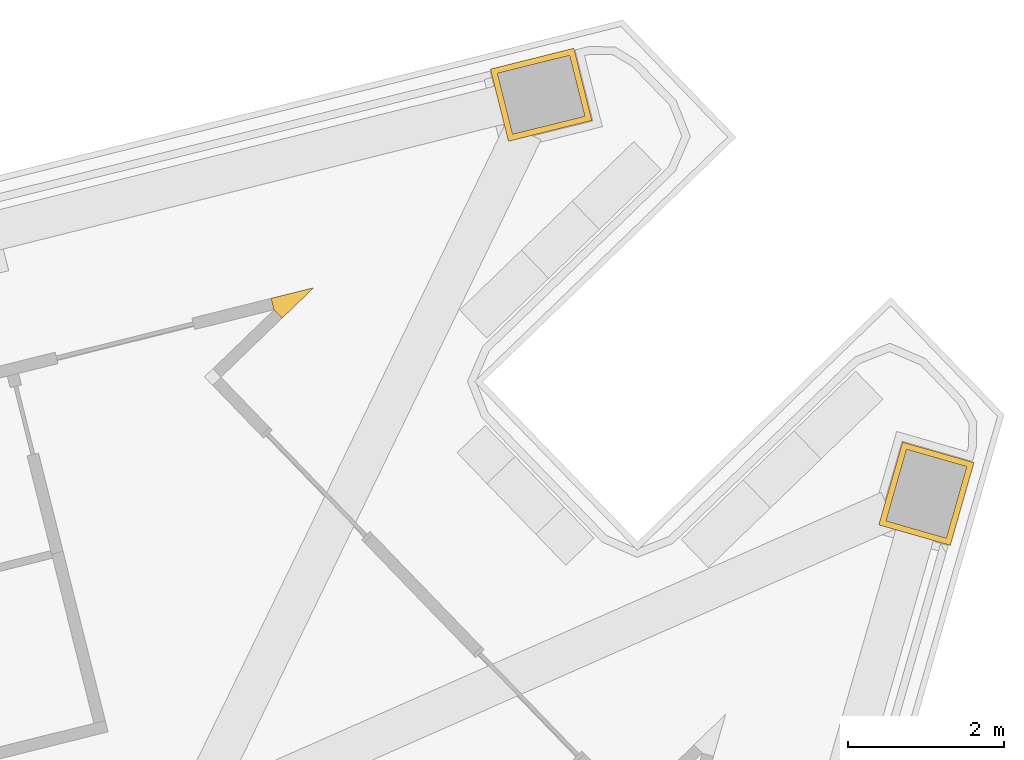
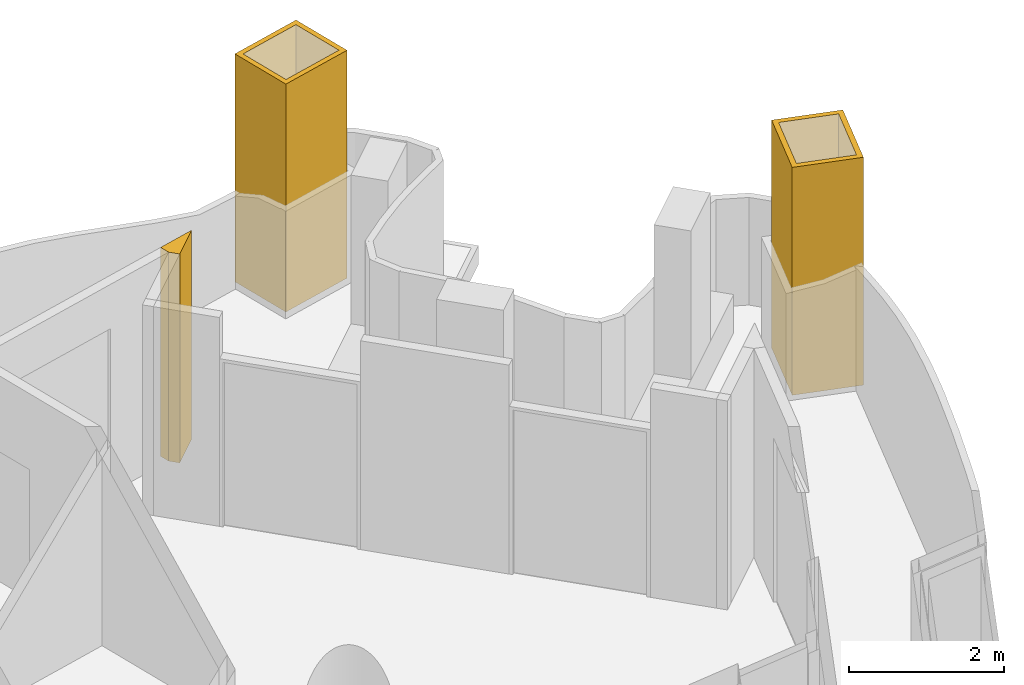
# One storey, part 19 of 20: 3 coverings.
"""IFC4 building model written with IfcOpenShell, lengths in metres."""

from ifc_helpers import new_model, si_unit, direction, frame, origin, place, context, subcontext, project, spatial, polyline, outline, extrude, material, layer, layer_set, type_object, element, save


model = new_model("IFC4")

# Units and contexts
model_context = context("Model", 3, precision=1e-05, world=origin(), true_north=direction((0.0, 1.0)))
body_context = subcontext(model_context, "Body", "Model", "MODEL_VIEW")
ifc_project = project(units=[si_unit("LENGTHUNIT", "METRE"), si_unit("AREAUNIT", "SQUARE_METRE"), si_unit("VOLUMEUNIT", "CUBIC_METRE"), si_unit("PLANEANGLEUNIT", "RADIAN"), si_unit("MASSUNIT", "GRAM", prefix="KILO")], contexts=[model_context])

# Site, building, storey
site_placement = place(None, origin())
site = spatial("IfcSite", under=ifc_project, at=site_placement, CompositionType="ELEMENT")
building_placement = place(site_placement, origin())
building = spatial("IfcBuilding", under=site, at=building_placement, Name="Trine Commons Tower", CompositionType="ELEMENT")
storey_placement = place(building_placement, frame((0.0, 0.0, 112.5)))
storey = spatial("IfcBuildingStorey", under=building, at=storey_placement, Name="L28", CompositionType="ELEMENT", Elevation=112.5)

# Coverings
ifc_material_1 = material(Name="Aluminium-framed insulated wall panel", Category="aluminium")
ifc_layer_1 = layer(ifc_material_1, 0.14990234375)
ifc_layer_set_1 = layer_set([ifc_layer_1], Name="Aluminium-framed insulated wall panel")
covering_type_1 = type_object("IfcCoveringType", Name="Glazing corner post, aluminium", PredefinedType="CLADDING", material=ifc_layer_set_1)
covering_1_placement = place(storey_placement, origin())
element("IfcCovering", 1, at=covering_1_placement, inside=storey, type_object=covering_type_1, Name="Glazing corner post 3-05", PredefinedType="CLADDING", context=body_context, shape_type="SweptSolid", body=[
    extrude(outline(polyline([(98.252197265625, 85.394775390625), (98.65478515625, 85.78369140625), (98.11181640625, 85.648193359375), (98.14794921875, 85.502685546875), (98.252197265625, 85.394775390625)])), origin(), (0.0, 0.0, 1.0), 3.300048828125),
])
ifc_material_2 = material(Name="Limestone, honed", Category="masonry")
ifc_layer_2 = layer(ifc_material_2, 0.074951171875)
ifc_layer_set_2 = layer_set([ifc_layer_2], Name="Limestone, honed")
covering_type_2 = type_object("IfcCoveringType", Name="Limestone column cladding 75", PredefinedType="CLADDING", material=ifc_layer_set_2)
covering_2_placement = place(storey_placement, origin())
element("IfcCovering", 2, at=covering_2_placement, inside=storey, type_object=covering_type_2, Name="Limestone pier cladding 3-16", PredefinedType="CLADDING", context=body_context, shape_type="SweptSolid", body=[
    extrude(outline(polyline([(102.211181640625, 87.922607421875), (101.9814453125, 88.84423828125), (100.9140625, 88.578125), (101.14404296875, 87.656494140625), (102.211181640625, 87.922607421875)]), holes=[polyline([(102.120361328125, 87.97705078125), (101.9267578125, 88.75341796875), (101.0048828125, 88.5234375), (101.198486328125, 87.747314453125), (102.120361328125, 87.97705078125)])]), origin(), (0.0, 0.0, 1.0), 3.60009765625),
])
covering_3_placement = place(storey_placement, origin())
element("IfcCovering", 3, at=covering_3_placement, inside=storey, type_object=covering_type_2, Name="Limestone pier cladding 3-17", PredefinedType="CLADDING", context=body_context, shape_type="SweptSolid", body=[
    extrude(outline(polyline([(107.095458984375, 83.548583984375), (106.18212890625, 83.810546875), (105.87890625, 82.753173828125), (106.792236328125, 82.4912109375), (107.095458984375, 83.548583984375)]), holes=[polyline([(107.002685546875, 83.497314453125), (106.233642578125, 83.7177734375), (105.9716796875, 82.8046875), (106.74072265625, 82.583984375), (107.002685546875, 83.497314453125)])]), origin(), (0.0, 0.0, 1.0), 3.60009765625),
])

save(model, "model.ifc")
